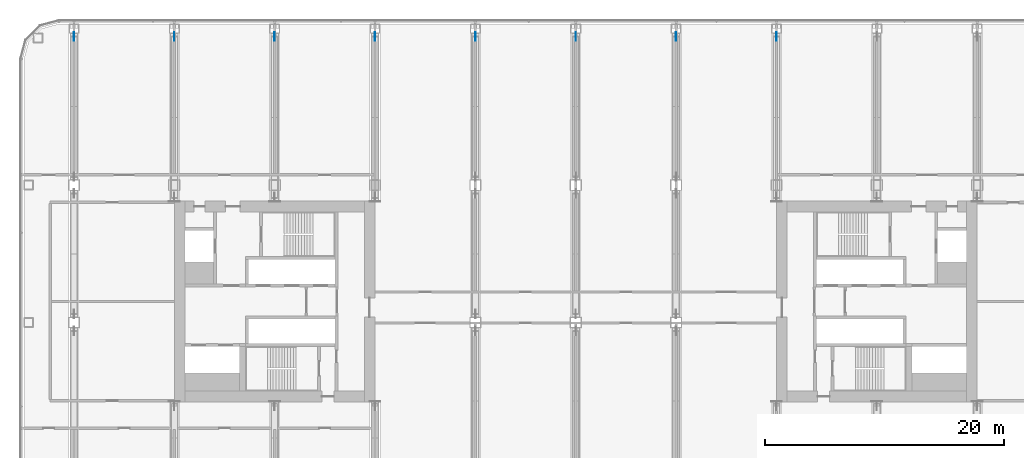
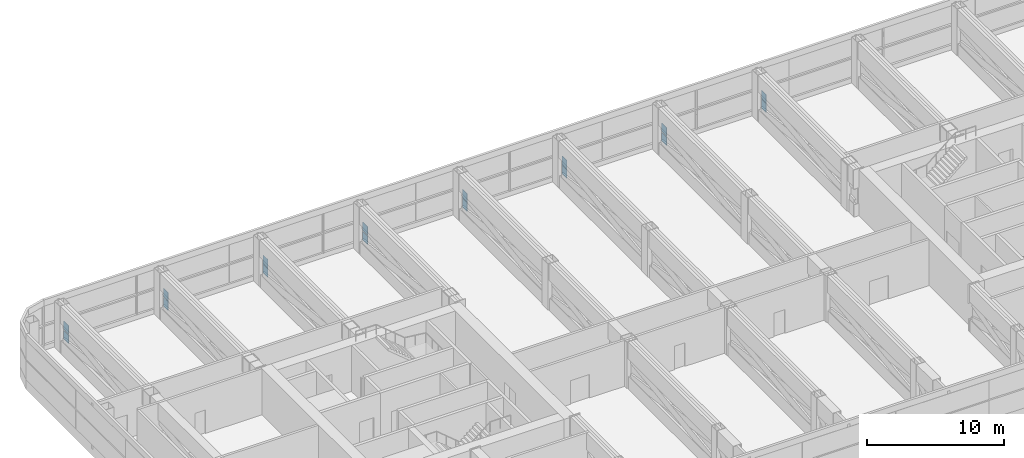
# One storey, part 24 of 31: 16 discrete accessories.
"""IFC4 building model written with IfcOpenShell, lengths in metres."""

from ifc_helpers import new_model, si_unit, direction, frame, origin, origin_2d, place, context, subcontext, project, spatial, rectangle, extrude, material, material_profile, profile_set, type_object, element, save


model = new_model("IFC4")

# Units and contexts
model_context = context("Model", 3, precision=1e-05, world=origin(), true_north=direction((0.0, 1.0)))
body_context = subcontext(model_context, "Body", "Model", "MODEL_VIEW")
ifc_project = project(units=[si_unit("LENGTHUNIT", "METRE"), si_unit("AREAUNIT", "SQUARE_METRE"), si_unit("VOLUMEUNIT", "CUBIC_METRE"), si_unit("PLANEANGLEUNIT", "RADIAN"), si_unit("MASSUNIT", "GRAM", prefix="KILO")], contexts=[model_context])

# Site, building, storey
site_placement = place(None, origin())
site = spatial("IfcSite", under=ifc_project, at=site_placement, CompositionType="ELEMENT")
building_placement = place(site_placement, origin())
building = spatial("IfcBuilding", under=site, at=building_placement, Name="Hakoniwa Tower and Hamabe Station Hall", CompositionType="ELEMENT")
storey_placement = place(building_placement, frame((0.0, 0.0, 120.199951171875)))
storey = spatial("IfcBuildingStorey", under=building, at=storey_placement, Name="L34", CompositionType="ELEMENT", Elevation=120.199951171875)

# Discrete accessories
ifc_material = material(Name="Steel SN490C", Category="steel")
ifc_material_profile = material_profile(ifc_material, rectangle(XDim=0.699951171875, YDim=0.77001953125, at=origin_2d()), Name="GUSSET PLATE BX-700x500x32")
ifc_profile_set = profile_set([ifc_material_profile], Name="Steel SN490C")
discrete_accessory_type = type_object("IfcDiscreteAccessoryType", Name="GUSSET PLATE BX-700x500x32", PredefinedType="USERDEFINED", material=ifc_profile_set)
for number, where, z_axis, x_axis, name in (
    (1, (-41.985107421875, 22.199951171875, 2.215087890625), (-1.0, 0.0, 0.0), (0.0, -1.0, 0.0), "Gusset plate T2-003-D03A"),
    (2, (-41.985107421875, 22.199951171875, 1.385009765625), (-1.0, 0.0, 0.0), (0.0, -1.0, 0.0), "Gusset plate T2-003-D03B"),
):
    element("IfcDiscreteAccessory", number, at=place(storey_placement, frame(where, z_axis=z_axis, x_axis=x_axis)), inside=storey, type_object=discrete_accessory_type, Name=name, ObjectType="GUSSET PLATE", PredefinedType="USERDEFINED", context=body_context, shape_type="SweptSolid", body=[
        extrude(rectangle(XDim=0.699951171875, YDim=0.77001953125, at=origin_2d()), origin(), (0.0, 0.0, 1.0), 0.02978515625),
    ])
for number, where, z_axis, x_axis, name in (
    (3, (-33.5849609375, 22.199951171875, 2.215087890625), (-1.0, 0.0, 0.0), (0.0, -1.0, 0.0), "Gusset plate T2-006-D01A"),
    (4, (-33.5849609375, 22.199951171875, 1.385009765625), (-1.0, 0.0, 0.0), (0.0, -1.0, 0.0), "Gusset plate T2-006-D01B"),
    (5, (-25.18505859375, 22.199951171875, 2.215087890625), (-1.0, 0.0, 0.0), (0.0, -1.0, 0.0), "Gusset plate T2-008-D01A"),
    (6, (-25.18505859375, 22.199951171875, 1.385009765625), (-1.0, 0.0, 0.0), (0.0, -1.0, 0.0), "Gusset plate T2-008-D01B"),
    (7, (-16.784912109375, 22.199951171875, 2.215087890625), (-1.0, 0.0, 0.0), (0.0, -1.0, 0.0), "Gusset plate T2-010-D01A"),
    (8, (-16.784912109375, 22.199951171875, 1.385009765625), (-1.0, 0.0, 0.0), (0.0, -1.0, 0.0), "Gusset plate T2-010-D01B"),
    (9, (-8.385009765625, 22.199951171875, 2.215087890625), (-1.0, 0.0, 0.0), (0.0, -1.0, 0.0), "Gusset plate T2-011-D03A"),
    (10, (-8.385009765625, 22.199951171875, 1.385009765625), (-1.0, 0.0, 0.0), (0.0, -1.0, 0.0), "Gusset plate T2-011-D03B"),
):
    element("IfcDiscreteAccessory", number, at=place(storey_placement, frame(where, z_axis=z_axis, x_axis=x_axis)), inside=storey, type_object=discrete_accessory_type, Name=name, ObjectType="GUSSET PLATE", PredefinedType="USERDEFINED", context=body_context, shape_type="SweptSolid", body=[
        extrude(rectangle(XDim=0.699951171875, YDim=0.77001953125, at=origin_2d()), origin(), (0.0, 0.0, 1.0), 0.030029296875),
    ])
for number, where, z_axis, x_axis, name in (
    (11, (0.014892578125, 22.199951171875, 2.215087890625), (-1.0, 0.0, 0.0), (0.0, -1.0, 0.0), "Gusset plate T2-012-D03A"),
    (12, (0.014892578125, 22.199951171875, 1.385009765625), (-1.0, 0.0, 0.0), (0.0, -1.0, 0.0), "Gusset plate T2-012-D03B"),
):
    element("IfcDiscreteAccessory", number, at=place(storey_placement, frame(where, z_axis=z_axis, x_axis=x_axis)), inside=storey, type_object=discrete_accessory_type, Name=name, ObjectType="GUSSET PLATE", PredefinedType="USERDEFINED", context=body_context, shape_type="SweptSolid", body=[
        extrude(rectangle(XDim=0.699951171875, YDim=0.77001953125, at=origin_2d()), origin(), (0.0, 0.0, 1.0), 0.02978515625),
    ])
for number, where, z_axis, x_axis, name in (
    (13, (8.4150390625, 22.199951171875, 2.215087890625), (-1.0, 0.0, 0.0), (0.0, -1.0, 0.0), "Gusset plate T2-013-D03A"),
    (14, (8.4150390625, 22.199951171875, 1.385009765625), (-1.0, 0.0, 0.0), (0.0, -1.0, 0.0), "Gusset plate T2-013-D03B"),
    (15, (16.81494140625, 22.199951171875, 2.215087890625), (-1.0, 0.0, 0.0), (0.0, -1.0, 0.0), "Gusset plate T2-015-D01A"),
    (16, (16.81494140625, 22.199951171875, 1.385009765625), (-1.0, 0.0, 0.0), (0.0, -1.0, 0.0), "Gusset plate T2-015-D01B"),
):
    element("IfcDiscreteAccessory", number, at=place(storey_placement, frame(where, z_axis=z_axis, x_axis=x_axis)), inside=storey, type_object=discrete_accessory_type, Name=name, ObjectType="GUSSET PLATE", PredefinedType="USERDEFINED", context=body_context, shape_type="SweptSolid", body=[
        extrude(rectangle(XDim=0.699951171875, YDim=0.77001953125, at=origin_2d()), origin(), (0.0, 0.0, 1.0), 0.030029296875),
    ])

save(model, "model.ifc")
